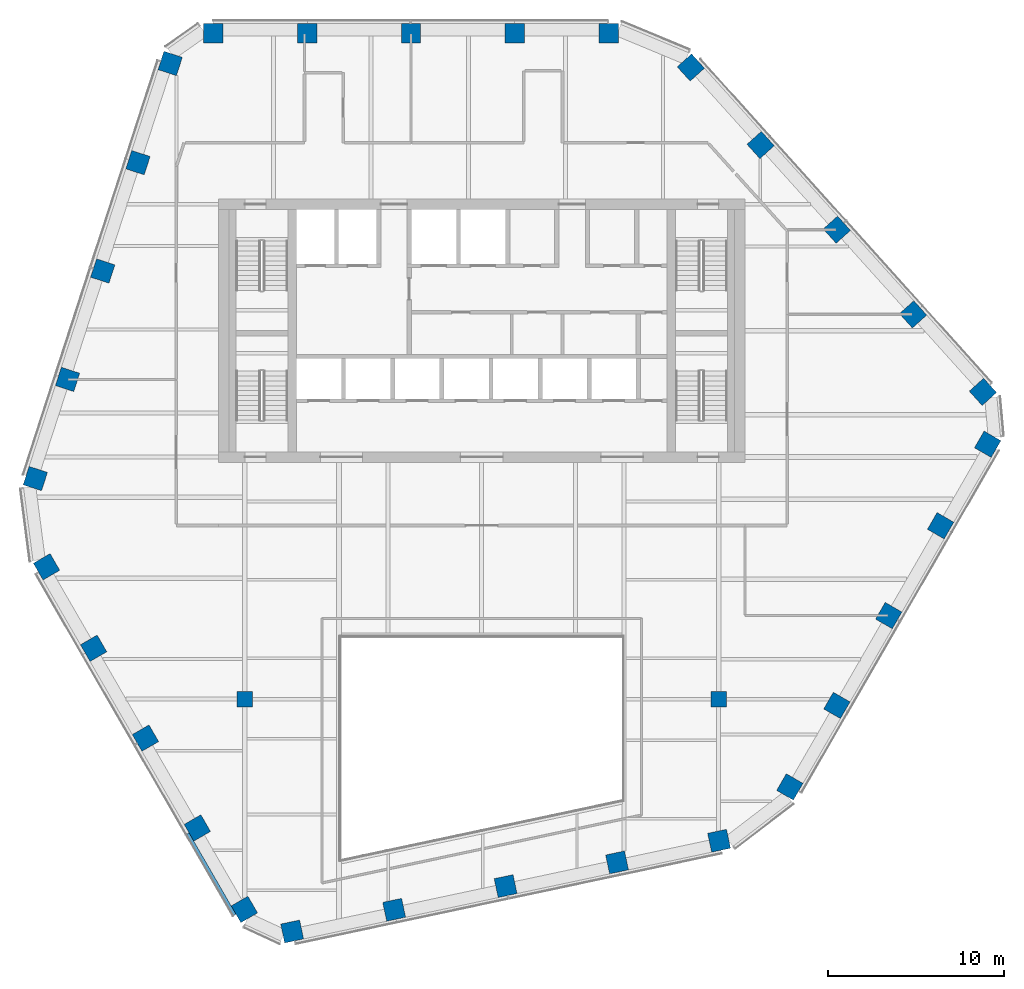
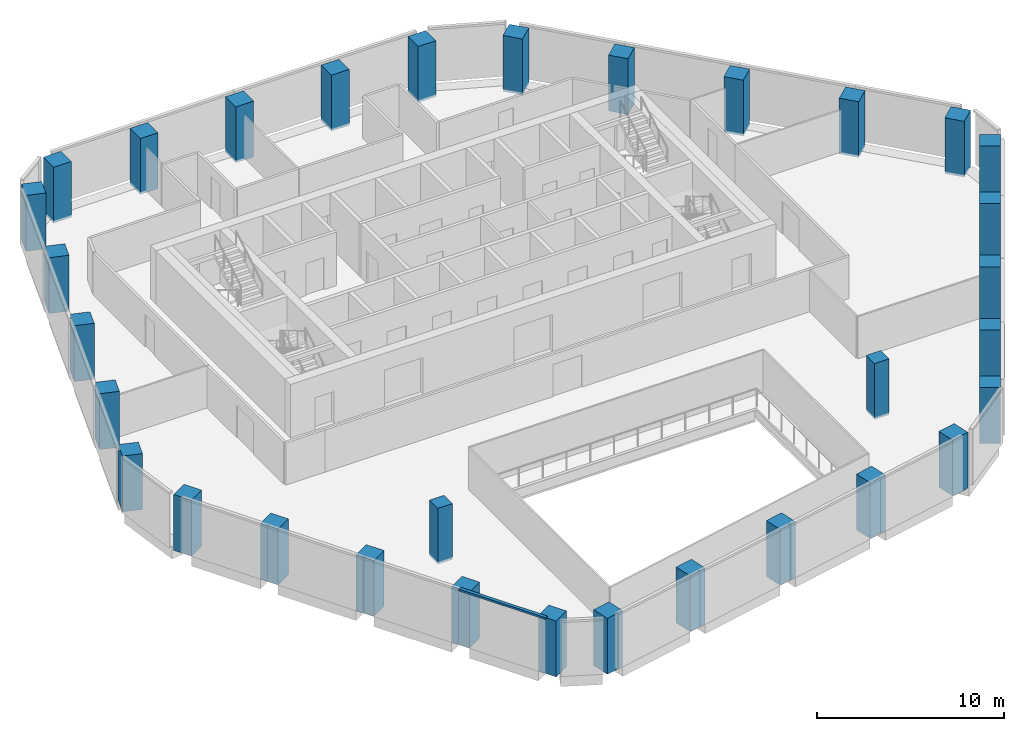
# One storey, part 1 of 15: 32 columns, 1 member, 1 element without a shape of its own.
"""IFC4 building model written with IfcOpenShell, lengths in metres."""

from ifc_helpers import new_model, si_unit, direction, frame, origin, origin_2d, place, context, subcontext, project, spatial, rectangle, extrude, material, layer, layer_set, material_profile, profile_set, type_object, element, aggregate, save


model = new_model("IFC4")

# Units and contexts
model_context = context("Model", 3, precision=1e-05, world=origin(), true_north=direction((0.0, 1.0)))
body_context = subcontext(model_context, "Body", "Model", "MODEL_VIEW")
ifc_project = project(units=[si_unit("LENGTHUNIT", "METRE"), si_unit("AREAUNIT", "SQUARE_METRE"), si_unit("VOLUMEUNIT", "CUBIC_METRE"), si_unit("PLANEANGLEUNIT", "RADIAN"), si_unit("MASSUNIT", "GRAM", prefix="KILO")], contexts=[model_context])

# Site, building, storey
site_placement = place(None, origin())
site = spatial("IfcSite", under=ifc_project, at=site_placement, CompositionType="ELEMENT")
building_placement = place(site_placement, origin())
building = spatial("IfcBuilding", under=site, at=building_placement, Name="Isthmus Gate Tower", CompositionType="ELEMENT")
storey_placement = place(building_placement, frame((0.0, 0.0, 241.85009765625)))
storey = spatial("IfcBuildingStorey", under=building, at=storey_placement, Name="L61", CompositionType="ELEMENT", Elevation=241.85009765625)

# Columns
ifc_material_1 = material(Name="Concrete f'c 50 MPa", Category="concrete")
ifc_material_profile_1 = material_profile(ifc_material_1, rectangle(XDim=0.89990234375, YDim=0.89990234375, at=origin_2d()), Name="RC 900X900")
ifc_profile_set_1 = profile_set([ifc_material_profile_1], Name="Concrete f'c 50 MPa")
column_type_1 = type_object("IfcColumnType", Name="RC INTERIOR COLUMN 900 X 900", PredefinedType="COLUMN", material=ifc_profile_set_1)
for number, where, z_axis, x_axis, name in (
    (1, (-13.5, -13.5, -0.150146484375), (0.0, 0.0, 1.0), (1.0, 0.0, 0.0), "str-icol-L61-ICB2"),
    (2, (13.5, -13.5, -0.150146484375), (0.0, 0.0, 1.0), (1.0, 0.0, 0.0), "str-icol-L61-ICD2"),
):
    element("IfcColumn", number, at=place(storey_placement, frame(where, z_axis=z_axis, x_axis=x_axis)), inside=storey, type_object=column_type_1, Name=name, PredefinedType="COLUMN", context=body_context, shape_type="SweptSolid", body=[
        extrude(rectangle(XDim=0.89990234375, YDim=0.89990234375, at=origin_2d()), origin(), (0.0, 0.0, 1.0), 3.650146484375),
    ])
ifc_material_2 = material(Name="Concrete f'c 50 MPa", Category="concrete")
ifc_material_profile_2 = material_profile(ifc_material_2, rectangle(XDim=1.10009765625, YDim=1.10009765625, at=origin_2d()), Name="RC 1100X1100")
ifc_profile_set_2 = profile_set([ifc_material_profile_2], Name="Concrete f'c 50 MPa")
column_type_2 = type_object("IfcColumnType", Name="RC TUBE COLUMN 1100 X 1100", PredefinedType="COLUMN", material=ifc_profile_set_2)
for number, where, z_axis, x_axis, name in (
    (3, (7.2412109375, 24.449951171875, -0.150146484375), (0.0, 0.0, 1.0), (-1.0, 0.0, 0.0), "str-tcol-L61-T3N0"),
    (4, (1.880615234375, 24.449951171875, -0.150146484375), (0.0, 0.0, 1.0), (-1.0, 0.0, 0.0), "str-tcol-L61-T3N1"),
    (5, (-4.030029296875, 24.449951171875, -0.150146484375), (0.0, 0.0, 1.0), (-1.0, 0.0, 0.0), "str-tcol-L61-T3N2"),
    (6, (-9.940673828125, 24.449951171875, -0.150146484375), (0.0, 0.0, 1.0), (-1.0, 0.0, 0.0), "str-tcol-L61-T3N3"),
    (7, (-15.30126953125, 24.449951171875, -0.150146484375), (0.0, 0.0, 1.0), (-1.0, 0.0, 0.0), "str-tcol-L61-T3N4"),
    (8, (-17.7509765625, 22.721923828125, -0.150146484375), (0.0, 0.0, 1.0), (-0.309016994375, -0.951056516295, 0.0), "str-tcol-L61-T3NW0"),
    (9, (-19.587158203125, 17.07080078125, -0.150146484375), (0.0, 0.0, 1.0), (-0.309016994375, -0.951056516295, 0.0), "str-tcol-L61-T3NW1"),
    (10, (-21.59326171875, 10.896728515625, -0.150146484375), (0.0, 0.0, 1.0), (-0.309016994375, -0.951056516295, 0.0), "str-tcol-L61-T3NW2"),
    (11, (-23.599365234375, 4.72265625, -0.150146484375), (0.0, 0.0, 1.0), (-0.309016994375, -0.951056516295, 0.0), "str-tcol-L61-T3NW3"),
    (12, (-25.435546875, -0.928466796875, -0.150146484375), (0.0, 0.0, 1.0), (-0.309016994375, -0.951056516295, 0.0), "str-tcol-L61-T3NW4"),
    (13, (-24.794921875, -5.9541015625, -0.150146484375), (0.0, 0.0, 1.0), (0.5, -0.866025403784, 0.0), "str-tcol-L61-T3SW0"),
    (14, (-22.114501953125, -10.596435546875, -0.150146484375), (0.0, 0.0, 1.0), (0.5, -0.866025403784, 0.0), "str-tcol-L61-T3SW1"),
    (15, (-19.1591796875, -15.715087890625, -0.150146484375), (0.0, 0.0, 1.0), (0.5, -0.866025403784, 0.0), "str-tcol-L61-T3SW2"),
    (16, (-16.2041015625, -20.833984375, -0.150146484375), (0.0, 0.0, 1.0), (0.5, -0.866025403784, 0.0), "str-tcol-L61-T3SW3"),
    (17, (-13.523681640625, -25.476318359375, -0.150146484375), (0.0, 0.0, 1.0), (0.5, -0.866025403784, 0.0), "str-tcol-L61-T3SW4"),
    (18, (-10.80224609375, -26.73388671875, -0.150146484375), (0.0, 0.0, 1.0), (0.978147600734, 0.207911690818, 0.0), "str-tcol-L61-T3S0"),
    (19, (-4.990234375, -25.498291015625, -0.150146484375), (0.0, 0.0, 1.0), (0.978147600734, 0.207911690818, 0.0), "str-tcol-L61-T3S1"),
    (20, (1.35986328125, -24.148681640625, -0.150146484375), (0.0, 0.0, 1.0), (0.978147600734, 0.207911690818, 0.0), "str-tcol-L61-T3S2"),
    (21, (7.7099609375, -22.798828125, -0.150146484375), (0.0, 0.0, 1.0), (0.978147600734, 0.207911690818, 0.0), "str-tcol-L61-T3S3"),
    (22, (13.52197265625, -21.5634765625, -0.150146484375), (0.0, 0.0, 1.0), (0.978147600734, 0.207911690818, 0.0), "str-tcol-L61-T3S4"),
    (23, (17.5537109375, -18.495849609375, -0.150146484375), (0.0, 0.0, 1.0), (0.5, 0.866025403784, 0.0), "str-tcol-L61-T3SE0"),
    (24, (20.234130859375, -13.853515625, -0.150146484375), (0.0, 0.0, 1.0), (0.5, 0.866025403784, 0.0), "str-tcol-L61-T3SE1"),
    (25, (23.189453125, -8.73486328125, -0.150146484375), (0.0, 0.0, 1.0), (0.5, 0.866025403784, 0.0), "str-tcol-L61-T3SE2"),
    (26, (26.144775390625, -3.6162109375, -0.150146484375), (0.0, 0.0, 1.0), (0.5, 0.866025403784, 0.0), "str-tcol-L61-T3SE3"),
    (27, (28.824951171875, 1.0263671875, -0.150146484375), (0.0, 0.0, 1.0), (0.5, 0.866025403784, 0.0), "str-tcol-L61-T3SE4"),
    (28, (28.55322265625, 4.011962890625, -0.150146484375), (0.0, 0.0, 1.0), (-0.669130606359, 0.743144825477, 0.0), "str-tcol-L61-T3NE0"),
    (29, (24.577392578125, 8.427490234375, -0.150146484375), (0.0, 0.0, 1.0), (-0.669130606359, 0.743144825477, 0.0), "str-tcol-L61-T3NE1"),
    (30, (20.2333984375, 13.251953125, -0.150146484375), (0.0, 0.0, 1.0), (-0.669130606359, 0.743144825477, 0.0), "str-tcol-L61-T3NE2"),
    (31, (15.8896484375, 18.076416015625, -0.150146484375), (0.0, 0.0, 1.0), (-0.669130606359, 0.743144825477, 0.0), "str-tcol-L61-T3NE3"),
    (32, (11.91357421875, 22.4921875, -0.150146484375), (0.0, 0.0, 1.0), (-0.669130606359, 0.743144825477, 0.0), "str-tcol-L61-T3NE4"),
):
    element("IfcColumn", number, at=place(storey_placement, frame(where, z_axis=z_axis, x_axis=x_axis)), inside=storey, type_object=column_type_2, Name=name, PredefinedType="COLUMN", context=body_context, shape_type="SweptSolid", body=[
        extrude(rectangle(XDim=1.10009765625, YDim=1.10009765625, at=origin_2d()), origin(), (0.0, 0.0, 1.0), 3.650146484375),
    ])

# Curtain wall, member
ifc_material_3 = material(Name="Aluminium, pale champagne anodised", Category="aluminium")
ifc_layer = layer(ifc_material_3, 0.199951171875)
ifc_layer_set = layer_set([ifc_layer], Name="CW-1 UNITISED CURTAIN WALL 200 DEEP")
curtain_wall_type = type_object("IfcCurtainWallType", Name="CW-1 UNITISED CURTAIN WALL 200 DEEP", PredefinedType="NOTDEFINED", material=ifc_layer_set)
curtain_wall_placement = place(storey_placement, origin())
curtain_wall = element("IfcCurtainWall", 33, at=curtain_wall_placement, inside=storey, type_object=curtain_wall_type, Name="CW-1 SW L61", PredefinedType="NOTDEFINED")
ifc_material_4 = material(Name="Aluminium, pale champagne anodised", Category="aluminium")
ifc_material_profile_3 = material_profile(ifc_material_4, rectangle(XDim=0.199951171875, YDim=0.1298828125, at=origin_2d()), Name="200x130")
ifc_profile_set_3 = profile_set([ifc_material_profile_3], Name="Aluminium, pale champagne anodised")
member_type = type_object("IfcMemberType", Name="CW-1 TRANSOM 200 X 130", PredefinedType="USERDEFINED", material=ifc_profile_set_3)
member_placement = place(storey_placement, frame((-16.766845703125, -21.158935546875, 3.5849609375), z_axis=(0.499989227444, -0.866031623233, 0.0), x_axis=(0.866031623233, 0.499989227444, 0.0)))
member = element("IfcMember", 34, at=member_placement, type_object=member_type, Name="CW-1 transom", ObjectType="TRANSOM", PredefinedType="USERDEFINED", context=body_context, shape_type="SweptSolid", body=[
    extrude(rectangle(XDim=0.199951171875, YDim=0.1298828125, at=origin_2d()), origin(), (0.0, 0.0, 1.0), 5.3603515625),
])
aggregate(curtain_wall, [member])

save(model, "model.ifc")
